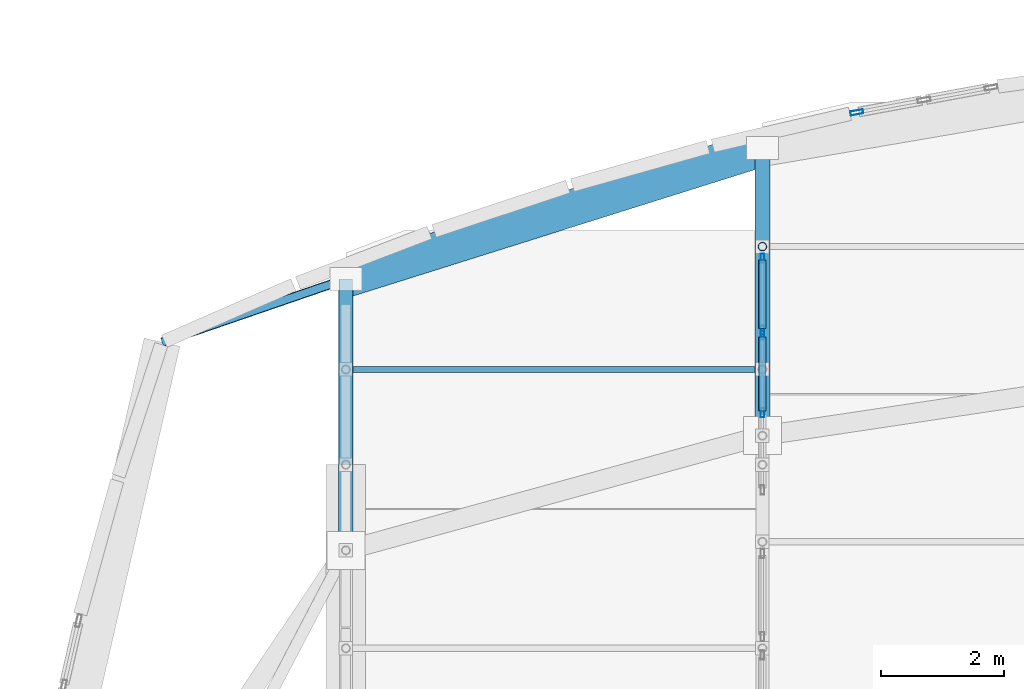
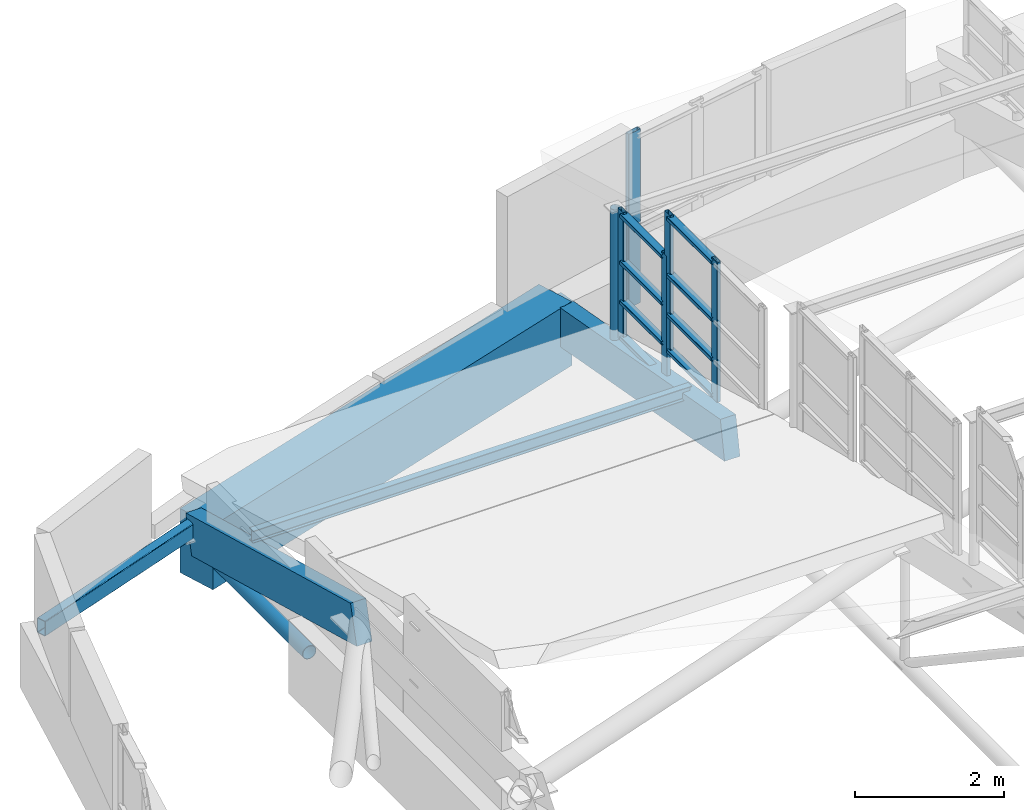
# One storey, part 97 of 188: 18 members, 2 beams, 3 elements without a shape of their own.
"""IFC4 building model written with IfcOpenShell, lengths in metres."""

from ifc_helpers import new_model, si_unit, direction, frame, origin, origin_2d, place, context, subcontext, project, spatial, rectangle, hollow_rectangle, hollow_circle, i_section, extrude, material, layer, layer_set, material_profile, profile_set, type_object, element, aggregate, save


model = new_model("IFC4")

# Units and contexts
model_context = context("Model", 3, precision=1e-05, world=origin(), true_north=direction((0.0, 1.0)))
body_context = subcontext(model_context, "Body", "Model", "MODEL_VIEW")
ifc_project = project(units=[si_unit("LENGTHUNIT", "METRE"), si_unit("AREAUNIT", "SQUARE_METRE"), si_unit("VOLUMEUNIT", "CUBIC_METRE"), si_unit("PLANEANGLEUNIT", "RADIAN"), si_unit("MASSUNIT", "GRAM", prefix="KILO")], contexts=[model_context])

# Site, building, storey
site_placement = place(None, origin())
site = spatial("IfcSite", under=ifc_project, at=site_placement, CompositionType="ELEMENT")
building_placement = place(site_placement, origin())
building = spatial("IfcBuilding", under=site, at=building_placement, Name="Kisaragi Civic Commons", CompositionType="ELEMENT")
storey_placement = place(building_placement, frame((0.0, 0.0, 9.60009765625)))
storey = spatial("IfcBuildingStorey", under=building, at=storey_placement, Name="L02", CompositionType="ELEMENT", Elevation=9.60009765625)

# Curtain wall, members
ifc_material_1 = material(Name="Thermally broken anodized aluminium and low-E double glazing", Category="aluminium")
ifc_layer_1 = layer(ifc_material_1, 0.14990234375, Name="Thermally broken anodized aluminium and low-E double glazing", Category="aluminium")
ifc_layer_set_1 = layer_set([ifc_layer_1], Name="Thermally broken anodized aluminium and low-E double glazing")
curtain_wall_type_1 = type_object("IfcCurtainWallType", Name="CW-03", PredefinedType="NOTDEFINED", material=ifc_layer_set_1)
curtain_wall_1_placement = place(storey_placement, origin())
curtain_wall_1 = element("IfcCurtainWall", 1, at=curtain_wall_1_placement, inside=storey, type_object=curtain_wall_type_1, Name="L02 curtain wall CW-03 CW-CL-V2-191", PredefinedType="NOTDEFINED")
ifc_material_profile_1 = material_profile(ifc_material_1, hollow_rectangle(XDim=0.06005859375, YDim=0.14990234375, WallThickness=0.00390625, InnerFilletRadius=0.00390625, OuterFilletRadius=0.008056640625, at=origin_2d()), Name="CWM-60x150x4", Category="aluminium")
ifc_profile_set_1 = profile_set([ifc_material_profile_1], Name="Thermally broken anodized aluminium and low-E double glazing")
member_type_1 = type_object("IfcMemberType", Name="CWM-01", PredefinedType="MULLION", material=ifc_profile_set_1)
member_1_placement = place(storey_placement, frame((13.60009765625, 112.44970703125, 0.554443359375), z_axis=(0.0, 0.0, 1.0), x_axis=(-1.0, 0.0, 0.0)))
member_1 = element("IfcMember", 2, at=member_1_placement, type_object=member_type_1, Name="CW-03 mullion 2", PredefinedType="MULLION", context=body_context, shape_type="SweptSolid", body=[
    extrude(hollow_rectangle(XDim=0.06005859375, YDim=0.14990234375, WallThickness=0.00390625, InnerFilletRadius=0.00390625, OuterFilletRadius=0.008056640625, at=origin_2d()), origin(), (0.0, 0.0, 1.0), 2.295166015625),
])
member_2_placement = place(storey_placement, frame((13.60009765625, 113.71240234375, 0.554443359375), z_axis=(0.0, 0.0, 1.0), x_axis=(-1.0, 0.0, 0.0)))
member_2 = element("IfcMember", 3, at=member_2_placement, type_object=member_type_1, Name="CW-03 mullion 3", PredefinedType="MULLION", context=body_context, shape_type="SweptSolid", body=[
    extrude(hollow_rectangle(XDim=0.06005859375, YDim=0.14990234375, WallThickness=0.00390625, InnerFilletRadius=0.00390625, OuterFilletRadius=0.008056640625, at=origin_2d()), origin(), (0.0, 0.0, 1.0), 2.295166015625),
])

curtain_wall_2_placement = place(storey_placement, origin())
curtain_wall_2 = element("IfcCurtainWall", 4, at=curtain_wall_2_placement, inside=storey, type_object=curtain_wall_type_1, Name="L02 curtain wall CW-03 CW-CL-V2-192", PredefinedType="NOTDEFINED")
member_3_placement = place(storey_placement, frame((13.60009765625, 113.79638671875, 0.0048828125), z_axis=(0.0, 0.0, 1.0), x_axis=(-1.0, 0.0, 0.0)))
member_3 = element("IfcMember", 5, at=member_3_placement, type_object=member_type_1, Name="CW-03 mullion 1", PredefinedType="MULLION", context=body_context, shape_type="SweptSolid", body=[
    extrude(hollow_rectangle(XDim=0.06005859375, YDim=0.14990234375, WallThickness=0.00390625, InnerFilletRadius=0.00390625, OuterFilletRadius=0.008056640625, at=origin_2d()), origin(), (0.0, 0.0, 1.0), 2.129638671875),
])
member_4_placement = place(storey_placement, frame((13.60009765625, 114.970947265625, 0.0048828125), z_axis=(0.0, 0.0, 1.0), x_axis=(-1.0, 0.0, 0.0)))
member_4 = element("IfcMember", 6, at=member_4_placement, type_object=member_type_1, Name="CW-03 mullion 2", PredefinedType="MULLION", context=body_context, shape_type="SweptSolid", body=[
    extrude(hollow_rectangle(XDim=0.06005859375, YDim=0.14990234375, WallThickness=0.00390625, InnerFilletRadius=0.00390625, OuterFilletRadius=0.008056640625, at=origin_2d()), origin(), (0.0, 0.0, 1.0), 2.129638671875),
])

# Curtain wall, member
ifc_layer_2 = layer(ifc_material_1, 0.2099609375, Name="Thermally broken anodized aluminium and low-E double glazing", Category="aluminium")
ifc_layer_set_2 = layer_set([ifc_layer_2], Name="Thermally broken anodized aluminium and low-E double glazing")
curtain_wall_type_2 = type_object("IfcCurtainWallType", Name="CW-02", PredefinedType="NOTDEFINED", material=ifc_layer_set_2)
curtain_wall_3_placement = place(storey_placement, origin())
curtain_wall_3 = element("IfcCurtainWall", 7, at=curtain_wall_3_placement, inside=storey, type_object=curtain_wall_type_2, Name="L02 curtain wall CW-02 CW-GAB-V2-223", PredefinedType="NOTDEFINED")
ifc_material_profile_2 = material_profile(ifc_material_1, hollow_rectangle(XDim=0.070068359375, YDim=0.2099609375, WallThickness=0.0048828125, InnerFilletRadius=0.0048828125, OuterFilletRadius=0.010009765625, at=origin_2d()), Name="CWM-70x210x5", Category="aluminium")
ifc_profile_set_2 = profile_set([ifc_material_profile_2], Name="Thermally broken anodized aluminium and low-E double glazing")
member_type_2 = type_object("IfcMemberType", Name="CWM-03", PredefinedType="MULLION", material=ifc_profile_set_2)
member_5_placement = place(storey_placement, frame((15.141357421875, 117.3515625, -1.399169921875), z_axis=(0.0, 0.0, 1.0), x_axis=(-0.182003607066, 0.983297862814, 0.0)))
member_5 = element("IfcMember", 8, at=member_5_placement, type_object=member_type_2, Name="CW-02 mullion 1", PredefinedType="MULLION", context=body_context, shape_type="SweptSolid", body=[
    extrude(hollow_rectangle(XDim=0.070068359375, YDim=0.2099609375, WallThickness=0.0048828125, InnerFilletRadius=0.0048828125, OuterFilletRadius=0.010009765625, at=origin_2d()), origin(), (0.0, 0.0, 1.0), 2.8486328125),
])
aggregate(curtain_wall_3, [member_5])

# Member
ifc_material_profile_3 = material_profile(ifc_material_1, hollow_rectangle(XDim=0.1201171875, YDim=0.06005859375, WallThickness=0.00390625, InnerFilletRadius=0.00390625, OuterFilletRadius=0.008056640625, at=origin_2d()), Name="CWT-60x120x4", Category="aluminium")
ifc_profile_set_3 = profile_set([ifc_material_profile_3], Name="Thermally broken anodized aluminium and low-E double glazing")
member_type_3 = type_object("IfcMemberType", Name="CWT-01", PredefinedType="USERDEFINED", material=ifc_profile_set_3)
member_6_placement = place(storey_placement, frame((13.60009765625, 112.479736328125, 0.614501953125), z_axis=(0.0, 1.0, 0.0), x_axis=(-1.0, 0.0, 0.0)))
member_6 = element("IfcMember", 9, at=member_6_placement, type_object=member_type_3, Name="CW-03 transom 2.1", ObjectType="TRANSOM", PredefinedType="USERDEFINED", context=body_context, shape_type="SweptSolid", body=[
    extrude(hollow_rectangle(XDim=0.1201171875, YDim=0.06005859375, WallThickness=0.00390625, InnerFilletRadius=0.00390625, OuterFilletRadius=0.008056640625, at=origin_2d()), origin(), (0.0, 0.0, 1.0), 1.20263671875),
])

member_7_placement = place(storey_placement, frame((13.60009765625, 112.479736328125, 1.20458984375), z_axis=(0.0, 1.0, 0.0), x_axis=(-1.0, 0.0, 0.0)))
member_7 = element("IfcMember", 10, at=member_7_placement, type_object=member_type_3, Name="CW-03 transom 2.2", ObjectType="TRANSOM", PredefinedType="USERDEFINED", context=body_context, shape_type="SweptSolid", body=[
    extrude(hollow_rectangle(XDim=0.1201171875, YDim=0.06005859375, WallThickness=0.00390625, InnerFilletRadius=0.00390625, OuterFilletRadius=0.008056640625, at=origin_2d()), origin(), (0.0, 0.0, 1.0), 1.20263671875),
])

member_8_placement = place(storey_placement, frame((13.60009765625, 112.479736328125, 1.8544921875), z_axis=(0.0, 1.0, 0.0), x_axis=(-1.0, 0.0, 0.0)))
member_8 = element("IfcMember", 11, at=member_8_placement, type_object=member_type_3, Name="CW-03 transom 2.3", ObjectType="TRANSOM", PredefinedType="USERDEFINED", context=body_context, shape_type="SweptSolid", body=[
    extrude(hollow_rectangle(XDim=0.1201171875, YDim=0.06005859375, WallThickness=0.00390625, InnerFilletRadius=0.00390625, OuterFilletRadius=0.008056640625, at=origin_2d()), origin(), (0.0, 0.0, 1.0), 1.20263671875),
])

member_9_placement = place(storey_placement, frame((13.60009765625, 112.479736328125, 2.78955078125), z_axis=(0.0, 1.0, 0.0), x_axis=(-1.0, 0.0, 0.0)))
member_9 = element("IfcMember", 12, at=member_9_placement, type_object=member_type_3, Name="CW-03 transom 2.4", ObjectType="TRANSOM", PredefinedType="USERDEFINED", context=body_context, shape_type="SweptSolid", body=[
    extrude(hollow_rectangle(XDim=0.1201171875, YDim=0.06005859375, WallThickness=0.00390625, InnerFilletRadius=0.00390625, OuterFilletRadius=0.008056640625, at=origin_2d()), origin(), (0.0, 0.0, 1.0), 1.20263671875),
])

aggregate(curtain_wall_1, [member_1, member_2, member_6, member_7, member_8, member_9])

member_10_placement = place(storey_placement, frame((13.60009765625, 113.826416015625, 0.06494140625), z_axis=(0.0, 1.0, 0.0), x_axis=(-1.0, 0.0, 0.0)))
member_10 = element("IfcMember", 13, at=member_10_placement, type_object=member_type_3, Name="CW-03 transom 1.1", ObjectType="TRANSOM", PredefinedType="USERDEFINED", context=body_context, shape_type="SweptSolid", body=[
    extrude(hollow_rectangle(XDim=0.1201171875, YDim=0.06005859375, WallThickness=0.00390625, InnerFilletRadius=0.00390625, OuterFilletRadius=0.008056640625, at=origin_2d()), origin(), (0.0, 0.0, 1.0), 1.114501953125),
])

member_11_placement = place(storey_placement, frame((13.60009765625, 113.826416015625, 0.65478515625), z_axis=(0.0, 1.0, 0.0), x_axis=(-1.0, 0.0, 0.0)))
member_11 = element("IfcMember", 14, at=member_11_placement, type_object=member_type_3, Name="CW-03 transom 1.2", ObjectType="TRANSOM", PredefinedType="USERDEFINED", context=body_context, shape_type="SweptSolid", body=[
    extrude(hollow_rectangle(XDim=0.1201171875, YDim=0.06005859375, WallThickness=0.00390625, InnerFilletRadius=0.00390625, OuterFilletRadius=0.008056640625, at=origin_2d()), origin(), (0.0, 0.0, 1.0), 1.114501953125),
])

member_12_placement = place(storey_placement, frame((13.60009765625, 113.826416015625, 1.304931640625), z_axis=(0.0, 1.0, 0.0), x_axis=(-1.0, 0.0, 0.0)))
member_12 = element("IfcMember", 15, at=member_12_placement, type_object=member_type_3, Name="CW-03 transom 1.3", ObjectType="TRANSOM", PredefinedType="USERDEFINED", context=body_context, shape_type="SweptSolid", body=[
    extrude(hollow_rectangle(XDim=0.1201171875, YDim=0.06005859375, WallThickness=0.00390625, InnerFilletRadius=0.00390625, OuterFilletRadius=0.008056640625, at=origin_2d()), origin(), (0.0, 0.0, 1.0), 1.114501953125),
])

member_13_placement = place(storey_placement, frame((13.60009765625, 113.826416015625, 2.074462890625), z_axis=(0.0, 1.0, 0.0), x_axis=(-1.0, 0.0, 0.0)))
member_13 = element("IfcMember", 16, at=member_13_placement, type_object=member_type_3, Name="CW-03 transom 1.4", ObjectType="TRANSOM", PredefinedType="USERDEFINED", context=body_context, shape_type="SweptSolid", body=[
    extrude(hollow_rectangle(XDim=0.1201171875, YDim=0.06005859375, WallThickness=0.00390625, InnerFilletRadius=0.00390625, OuterFilletRadius=0.008056640625, at=origin_2d()), origin(), (0.0, 0.0, 1.0), 1.114501953125),
])

aggregate(curtain_wall_2, [member_3, member_4, member_10, member_11, member_12, member_13])

# Beam
ifc_material_2 = material(Name="Concrete Fc36", Category="concrete")
ifc_material_profile_4 = material_profile(ifc_material_2, rectangle(XDim=0.60009765625, YDim=1.050048828125, at=origin_2d()), Name="RC-600x1050", Category="concrete")
ifc_profile_set_4 = profile_set([ifc_material_profile_4], Name="Concrete Fc36")
beam_type_1 = type_object("IfcBeamType", Name="G-06", PredefinedType="BEAM", material=ifc_profile_set_4)
beam_1_placement = place(storey_placement, frame((13.60009765625, 116.770263671875, -0.84521484375), z_axis=(-0.953913354752, -0.300082174787, 0.0), x_axis=(0.300082174787, -0.953913354752, 0.0)))
element("IfcBeam", 17, at=beam_1_placement, inside=storey, type_object=beam_type_1, Name="L02 curved spandrel/ring girder G-06 287", PredefinedType="BEAM", context=body_context, shape_type="SweptSolid", body=[
    extrude(rectangle(XDim=0.60009765625, YDim=1.050048828125, at=origin_2d()), origin(), (0.0, 0.0, 1.0), 7.128662109375),
])

# Members
ifc_material_3 = material(Name="Glulam E120-F330", Category="wood")
ifc_material_profile_5 = material_profile(ifc_material_3, rectangle(XDim=0.239990234375, YDim=0.6298828125, at=origin_2d()), Name="GL-240x630", Category="wood")
ifc_profile_set_5 = profile_set([ifc_material_profile_5], Name="Glulam E120-F330")
member_type_4 = type_object("IfcMemberType", Name="GR-03", PredefinedType="RAFTER", material=ifc_profile_set_5)
member_14_placement = place(storey_placement, frame((6.800048828125, 110.2021484375, 0.641357421875), z_axis=(0.0, 0.965094530286, -0.261901790012), x_axis=(-1.0, 0.0, 0.0)))
element("IfcMember", 18, at=member_14_placement, inside=storey, type_object=member_type_4, Name="V2 glulam arch rib GR-03 16", PredefinedType="RAFTER", context=body_context, shape_type="SweptSolid", body=[
    extrude(rectangle(XDim=0.239990234375, YDim=0.6298828125, at=origin_2d()), origin(), (0.0, 0.0, 1.0), 4.589111328125),
])
member_15_placement = place(storey_placement, frame((13.60009765625, 112.073974609375, 0.1484375), z_axis=(0.0, 0.984098295763, -0.177624728784), x_axis=(-1.0, 0.0, 0.0)))
element("IfcMember", 19, at=member_15_placement, inside=storey, type_object=member_type_4, Name="V2 glulam arch rib GR-03 24", PredefinedType="RAFTER", context=body_context, shape_type="SweptSolid", body=[
    extrude(rectangle(XDim=0.239990234375, YDim=0.6298828125, at=origin_2d()), origin(), (0.0, 0.0, 1.0), 4.772216796875),
])

# Beam
ifc_material_4 = material(Name="Steel STKR400", Category="steel")
ifc_material_profile_6 = material_profile(ifc_material_4, hollow_rectangle(XDim=0.14990234375, YDim=0.25, WallThickness=0.009033203125, InnerFilletRadius=0.009033203125, OuterFilletRadius=0.01806640625, at=origin_2d()), Name="STKR-250x150x9", Category="steel")
ifc_profile_set_6 = profile_set([ifc_material_profile_6], Name="Steel STKR400")
beam_type_2 = type_object("IfcBeamType", Name="LN-02", PredefinedType="LINTEL", material=ifc_profile_set_6)
beam_2_placement = place(storey_placement, frame((6.800048828125, 114.631103515625, -0.445068359375), z_axis=(-0.945710256764, -0.325010938665, 0.0), x_axis=(0.325010938665, -0.945710256764, 0.0)))
element("IfcBeam", 20, at=beam_2_placement, inside=storey, type_object=beam_type_2, Name="L02 curved spandrel/ring girder LN-02 288", PredefinedType="LINTEL", context=body_context, shape_type="SweptSolid", body=[
    extrude(hollow_rectangle(XDim=0.14990234375, YDim=0.25, WallThickness=0.009033203125, InnerFilletRadius=0.009033203125, OuterFilletRadius=0.01806640625, at=origin_2d()), origin(), (0.0, 0.0, 1.0), 3.172119140625),
])

# Members
ifc_material_5 = material(Name="Steel SN400 (SN400B)", Category="steel")
ifc_material_profile_7 = material_profile(ifc_material_5, i_section(OverallWidth=0.10009765625, OverallDepth=0.199951171875, WebThickness=0.005615234375, FlangeThickness=0.008056640625, FilletRadius=0.008056640625, at=origin_2d()), Name="H-200x100x5.5x8", Category="steel")
ifc_profile_set_7 = profile_set([ifc_material_profile_7], Name="Steel SN400 (SN400B)")
member_type_5 = type_object("IfcMemberType", Name="PR-02", PredefinedType="PURLIN", material=ifc_profile_set_7)
member_16_placement = place(storey_placement, frame((6.800048828125, 113.1552734375, 0.27294921875), z_axis=(1.0, 0.0, 0.0), x_axis=(0.0, 1.0, 0.0)))
element("IfcMember", 21, at=member_16_placement, inside=storey, type_object=member_type_5, Name="V2 wave vault steel purlin 16", PredefinedType="PURLIN", context=body_context, shape_type="SweptSolid", body=[
    extrude(i_section(OverallWidth=0.10009765625, OverallDepth=0.199951171875, WebThickness=0.005615234375, FlangeThickness=0.008056640625, FilletRadius=0.008056640625, at=origin_2d()), origin(), (0.0, 0.0, 1.0), 6.800048828125),
])
ifc_material_6 = material(Name="Steel SN490 (SN490B)", Category="steel")
ifc_material_profile_8 = material_profile(ifc_material_6, hollow_circle(Radius=0.06982421875, WallThickness=0.006103515625, at=origin_2d()), Name="CHS-139.8x6.0", Category="steel")
ifc_profile_set_8 = profile_set([ifc_material_profile_8], Name="Steel SN490 (SN490B)")
member_type_6 = type_object("IfcMemberType", Name="ST-H1", PredefinedType="STRUT", material=ifc_profile_set_8)
member_17_placement = place(storey_placement, frame((13.60009765625, 115.160888671875, -0.40869140625), z_axis=(0.0, 0.0, 1.0), x_axis=(1.0, 0.0, 0.0)))
element("IfcMember", 22, at=member_17_placement, inside=storey, type_object=member_type_6, Name="V2 clerestory monitor horizontal tie strut 3.2.8", PredefinedType="STRUT", context=body_context, shape_type="SweptSolid", body=[
    extrude(hollow_circle(Radius=0.06982421875, WallThickness=0.006103515625, at=origin_2d()), origin(), (0.0, 0.0, 1.0), 2.468994140625),
])
ifc_material_profile_9 = material_profile(ifc_material_6, hollow_circle(Radius=0.108154296875, WallThickness=0.008056640625, at=origin_2d()), Name="CHS-216.3x8.0", Category="steel")
ifc_profile_set_9 = profile_set([ifc_material_profile_9], Name="Steel SN490 (SN490B)")
member_type_7 = type_object("IfcMemberType", Name="ST-T2", PredefinedType="STRUT", material=ifc_profile_set_9)
member_18_placement = place(storey_placement, frame((6.800048828125, 111.60009765625, -0.69921875), z_axis=(0.0, 1.0, 0.0), x_axis=(-1.0, 0.0, 0.0)))
element("IfcMember", 23, at=member_18_placement, inside=storey, type_object=member_type_7, Name="V2 arch tension tie ST-T2 16", PredefinedType="STRUT", context=body_context, shape_type="SweptSolid", body=[
    extrude(hollow_circle(Radius=0.108154296875, WallThickness=0.008056640625, at=origin_2d()), origin(), (0.0, 0.0, 1.0), 3.031005859375),
])

save(model, "model.ifc")
